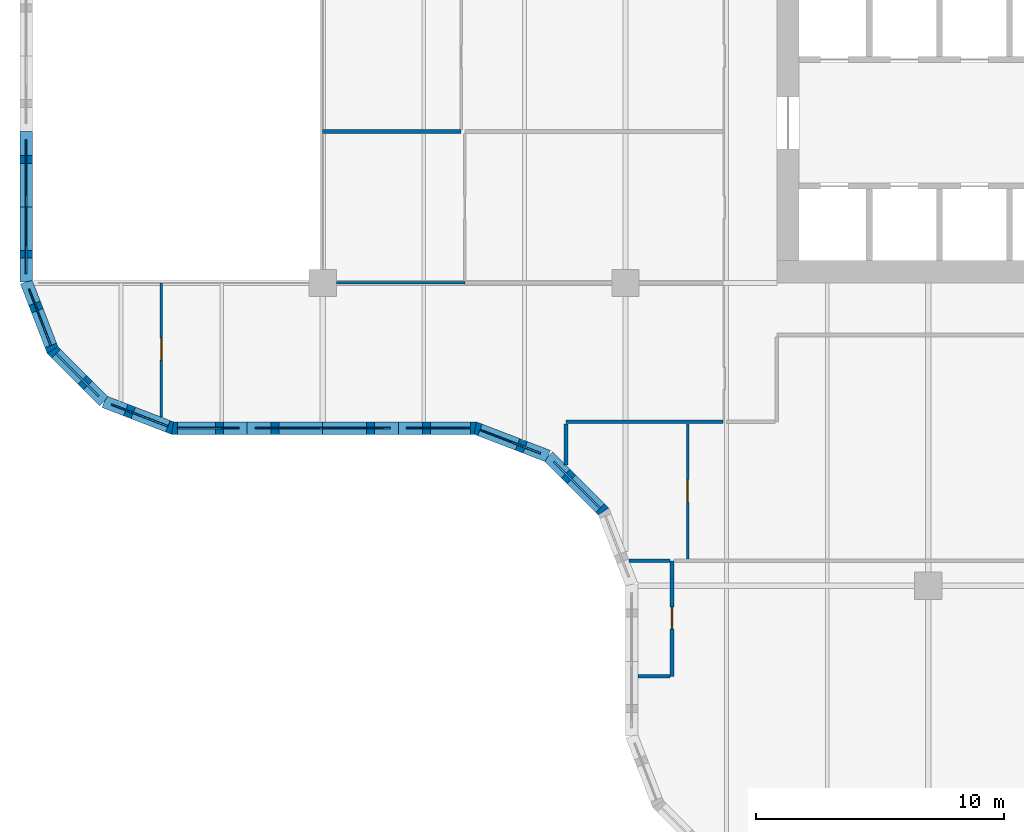
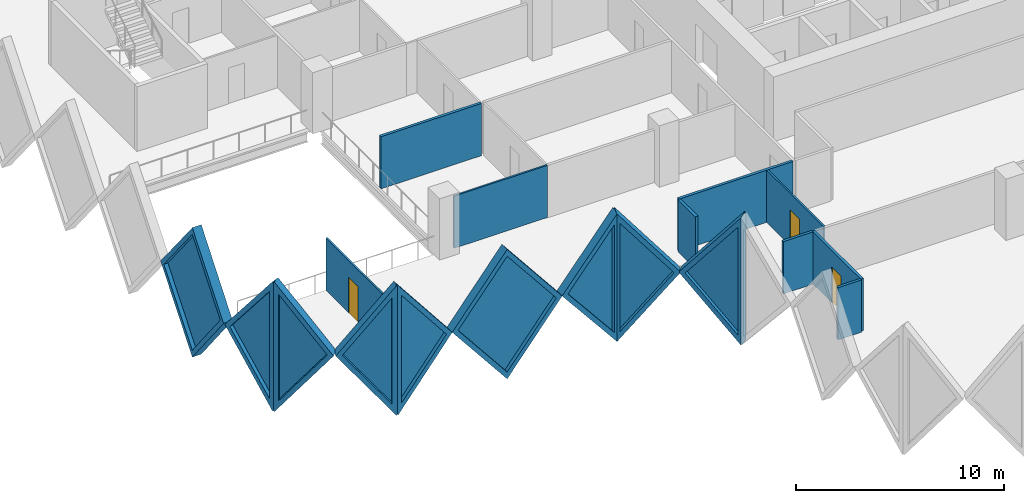
# One storey, part 4 of 18: 18 walls, 9 plates, 3 doors, 12 openings.
"""IFC4 building model written with IfcOpenShell, lengths in metres."""

from ifc_helpers import new_model, si_unit, direction, frame, frame_2d, origin, place, context, subcontext, project, spatial, polyline, rectangle, outline, extrude, faceted_brep, source, transform, mapped, material, layer, layer_set, type_object, element, fill, save


model = new_model("IFC4")

# Units and contexts
model_context = context("Model", 3, precision=1e-05, world=origin(), true_north=direction((0.0, 1.0)))
body_context = subcontext(model_context, "Body", "Model", "MODEL_VIEW")
ifc_project = project(units=[si_unit("LENGTHUNIT", "METRE"), si_unit("AREAUNIT", "SQUARE_METRE"), si_unit("VOLUMEUNIT", "CUBIC_METRE"), si_unit("PLANEANGLEUNIT", "RADIAN"), si_unit("MASSUNIT", "GRAM", prefix="KILO")], contexts=[model_context])

# Site, building, storey
site_placement = place(None, origin())
site = spatial("IfcSite", under=ifc_project, at=site_placement, CompositionType="ELEMENT")
building_placement = place(site_placement, origin())
building = spatial("IfcBuilding", under=site, at=building_placement, Name="Tessera Gate Towers", CompositionType="ELEMENT")
storey_placement = place(building_placement, frame((0.0, 0.0, 41.0)))
storey = spatial("IfcBuildingStorey", under=building, at=storey_placement, Name="L09", CompositionType="ELEMENT", Elevation=41.0)

# Wall, opening, door
ifc_material_1 = material(Name="Glass", Category="glass")
ifc_layer_1 = layer(ifc_material_1, 0.10009765625)
ifc_layer_set_1 = layer_set([ifc_layer_1], Name="GLAZED PARTITION 100")
wall_type_1 = type_object("IfcWallType", Name="GLAZED PARTITION 100", PredefinedType="PARTITIONING", material=ifc_layer_set_1)
wall_1_placement = place(storey_placement, frame((5.699951171875, 18.990234375, 0.0), z_axis=(0.0, 0.0, 1.0), x_axis=(0.0, 1.0, 0.0)))
wall_1 = element("IfcWall", 1, at=wall_1_placement, inside=storey, type_object=wall_type_1, Name="T1-L09-PW-021", PredefinedType="PARTITIONING", context=body_context, shape_type="SweptSolid", body=[
    extrude(rectangle(XDim=5.40966796875, YDim=0.10009765625, at=frame_2d((2.704833984375, 0.0))), origin(), (0.0, 0.0, 1.0), 3.06689453125),
])
shared_shape_1 = source(origin(), body_context, "Body", "SweptSolid", [
    extrude(rectangle(XDim=0.89990234375, YDim=2.10009765625, at=frame_2d((0.449951171875, 1.050048828125))), frame((0.0, 0.06005859375, 0.0), z_axis=(0.0, -1.0, 0.0), x_axis=(1.0, 0.0, 0.0)), (0.0, 0.0, 1.0), 0.1201171875),
])
opening_1_placement = place(wall_1_placement, frame((2.300048828125, 0.0, 0.0)))
opening_1 = element("IfcOpeningElement", 2, at=opening_1_placement, cuts=wall_1, Name="Opening D690-A03-01", PredefinedType="OPENING", context=body_context, shape_type="MappedRepresentation", body=[
    mapped(shared_shape_1, transform((0.0, 0.0, 0.0), scale=1.0)),
])
ifc_material_2 = material(Name="Glass in aluminium frame", Category="aluminium")
door_type_1 = type_object("IfcDoorType", Name="GLAZED DOOR 900 NOT RATED", OperationType="NOTDEFINED", PredefinedType="DOOR", material=ifc_material_2)
shared_shape_2 = source(origin(), body_context, "Body", "SweptSolid", [
    extrude(rectangle(XDim=0.89990234375, YDim=2.10009765625, at=frame_2d((0.449951171875, 1.050048828125))), frame((0.0, 0.02490234375, 0.0), z_axis=(0.0, -1.0, 0.0), x_axis=(1.0, 0.0, 0.0)), (0.0, 0.0, 1.0), 0.050048828125),
])
door_1_placement = place(opening_1_placement, origin())
door_1 = element("IfcDoor", 3, at=door_1_placement, inside=storey, type_object=door_type_1, Name="T1-L09-PD-008", OperationType="SINGLE_SWING_LEFT", OverallHeight=2.10009765625, OverallWidth=0.89990234375, PredefinedType="DOOR", context=body_context, shape_type="MappedRepresentation", body=[
    mapped(shared_shape_2, transform((0.0, 0.0, 0.0), scale=1.0)),
])
fill(opening_1, door_1)

# Wall
wall_2_placement = place(storey_placement, frame((12.7509765625, 24.39990234375, 0.0), z_axis=(0.0, 0.0, 1.0), x_axis=(1.0, 0.0, 0.0)))
element("IfcWall", 4, at=wall_2_placement, inside=storey, type_object=wall_type_1, Name="T1-L09-PW-026", PredefinedType="PARTITIONING", context=body_context, shape_type="SweptSolid", body=[
    extrude(rectangle(XDim=5.173095703125, YDim=0.10009765625, at=frame_2d((2.58642578125, 0.0))), origin(), (0.0, 0.0, 1.0), 3.06689453125),
])

# Wall, opening, door
ifc_material_3 = material(Name="Gypsum board on steel studs", Category="steel")
ifc_layer_2 = layer(ifc_material_3, 0.10009765625)
ifc_layer_set_2 = layer_set([ifc_layer_2], Name="PARTITION 100")
wall_type_2 = type_object("IfcWallType", Name="PARTITION 100", PredefinedType="PARTITIONING", material=ifc_layer_set_2)
wall_3_placement = place(storey_placement, frame((26.89990234375, 13.27587890625, 0.0), z_axis=(0.0, 0.0, 1.0), x_axis=(0.0, 1.0, 0.0)))
wall_3 = element("IfcWall", 5, at=wall_3_placement, inside=storey, type_object=wall_type_2, Name="T1-L09-PW-011", PredefinedType="PARTITIONING", context=body_context, shape_type="SweptSolid", body=[
    extrude(rectangle(XDim=5.4482421875, YDim=0.10009765625, at=frame_2d((2.72412109375, 0.0))), origin(), (0.0, 0.0, 1.0), 3.06689453125),
])
opening_2_placement = place(wall_3_placement, frame((2.300048828125, 0.0, 0.0)))
opening_2 = element("IfcOpeningElement", 6, at=opening_2_placement, cuts=wall_3, Name="Opening D190-A03-06", PredefinedType="OPENING", context=body_context, shape_type="MappedRepresentation", body=[
    mapped(shared_shape_1, transform((0.0, 0.0, 0.0), scale=1.0)),
])
ifc_material_4 = material(Name="Timber door leaf in steel frame", Category="steel")
door_type_2 = type_object("IfcDoorType", Name="INTERNAL DOOR 900 NOT RATED", OperationType="NOTDEFINED", PredefinedType="DOOR", material=ifc_material_4)
door_2_placement = place(opening_2_placement, origin())
door_2 = element("IfcDoor", 7, at=door_2_placement, inside=storey, type_object=door_type_2, Name="T1-L09-PD-009", OperationType="SINGLE_SWING_LEFT", OverallHeight=2.10009765625, OverallWidth=0.89990234375, PredefinedType="DOOR", context=body_context, shape_type="MappedRepresentation", body=[
    mapped(shared_shape_2, transform((0.0, 0.0, 0.0), scale=1.0)),
])
fill(opening_2, door_2)

# Wall
ifc_material_5 = material(Name="Gypsum board on steel studs, mineral wool", Category="steel")
ifc_layer_3 = layer(ifc_material_5, 0.14990234375)
ifc_layer_set_3 = layer_set([ifc_layer_3], Name="TENANCY WALL 150")
wall_type_3 = type_object("IfcWallType", Name="TENANCY WALL 150", PredefinedType="PARTITIONING", material=ifc_layer_set_3)
wall_4_placement = place(storey_placement, frame((24.89990234375, 8.548095703125, 0.0), z_axis=(0.0, 0.0, 1.0), x_axis=(1.0, 0.0, 0.0)))
element("IfcWall", 8, at=wall_4_placement, inside=storey, type_object=wall_type_3, Name="T1-L09-PW-006", PredefinedType="PARTITIONING", context=body_context, shape_type="SweptSolid", body=[
    extrude(rectangle(XDim=1.299072265625, YDim=0.14990234375, at=frame_2d((0.6494140625, 0.0))), origin(), (0.0, 0.0, 1.0), 3.06689453125),
])

# Wall, opening, door
wall_5_placement = place(storey_placement, frame((26.27490234375, 8.5478515625, 0.0), z_axis=(0.0, 0.0, 1.0), x_axis=(0.0, 1.0, 0.0)))
wall_5 = element("IfcWall", 9, at=wall_5_placement, inside=storey, type_object=wall_type_3, Name="T1-L09-PW-007", PredefinedType="PARTITIONING", context=body_context, shape_type="SweptSolid", body=[
    extrude(rectangle(XDim=4.652099609375, YDim=0.14990234375, at=frame_2d((2.326171875, 0.0))), origin(), (0.0, 0.0, 1.0), 3.06689453125),
])
shared_shape_3 = source(origin(), body_context, "Body", "SweptSolid", [
    extrude(rectangle(XDim=0.89990234375, YDim=2.10009765625, at=frame_2d((0.449951171875, 1.050048828125))), frame((0.0, 0.0849609375, 0.0), z_axis=(0.0, -1.0, 0.0), x_axis=(1.0, 0.0, 0.0)), (0.0, 0.0, 1.0), 0.169921875),
])
opening_3_placement = place(wall_5_placement, frame((1.89990234375, 0.0, 0.0)))
opening_3 = element("IfcOpeningElement", 10, at=opening_3_placement, cuts=wall_5, Name="Opening D190-A03-09", PredefinedType="OPENING", context=body_context, shape_type="MappedRepresentation", body=[
    mapped(shared_shape_3, transform((0.0, 0.0, 0.0), scale=1.0)),
])
door_3_placement = place(opening_3_placement, origin())
door_3 = element("IfcDoor", 11, at=door_3_placement, inside=storey, type_object=door_type_2, Name="T1-L09-PD-015", OperationType="SINGLE_SWING_LEFT", OverallHeight=2.10009765625, OverallWidth=0.89990234375, PredefinedType="DOOR", context=body_context, shape_type="MappedRepresentation", body=[
    mapped(shared_shape_2, transform((0.0, 0.0, 0.0), scale=1.0)),
])
fill(opening_3, door_3)

# Walls
wall_6_placement = place(storey_placement, frame((24.55029296875, 13.199951171875, 0.0), z_axis=(0.0, 0.0, 1.0), x_axis=(1.0, 0.0, 0.0)))
element("IfcWall", 12, at=wall_6_placement, inside=storey, type_object=wall_type_3, Name="T1-L09-PW-009", PredefinedType="PARTITIONING", context=body_context, shape_type="SweptSolid", body=[
    extrude(rectangle(XDim=1.648681640625, YDim=0.14990234375, at=frame_2d((0.82421875, 0.0))), origin(), (0.0, 0.0, 1.0), 3.06689453125),
])
wall_7_placement = place(storey_placement, frame((22.0, 17.054931640625, 0.0), z_axis=(0.0, 0.0, 1.0), x_axis=(0.0, 1.0, 0.0)))
element("IfcWall", 13, at=wall_7_placement, inside=storey, type_object=wall_type_3, Name="T1-L09-PW-015", PredefinedType="PARTITIONING", context=body_context, shape_type="SweptSolid", body=[
    extrude(rectangle(XDim=1.669189453125, YDim=0.14990234375, at=frame_2d((0.83447265625, 0.0))), origin(), (0.0, 0.0, 1.0), 3.06689453125),
])
wall_8_placement = place(storey_placement, frame((22.0, 18.800048828125, 0.0), z_axis=(0.0, 0.0, 1.0), x_axis=(1.0, 0.0, 0.0)))
element("IfcWall", 14, at=wall_8_placement, inside=storey, type_object=wall_type_3, Name="T1-L09-PW-016", PredefinedType="PARTITIONING", context=body_context, shape_type="SweptSolid", body=[
    extrude(rectangle(XDim=6.323974609375, YDim=0.14990234375, at=frame_2d((3.162109375, 0.0))), origin(), (0.0, 0.0, 1.0), 3.06689453125),
])
wall_9_placement = place(storey_placement, frame((12.199951171875, 30.5, 0.0), z_axis=(0.0, 0.0, 1.0), x_axis=(1.0, 0.0, 0.0)))
element("IfcWall", 15, at=wall_9_placement, inside=storey, type_object=wall_type_3, Name="T1-L09-PW-030", PredefinedType="PARTITIONING", context=body_context, shape_type="SweptSolid", body=[
    extrude(rectangle(XDim=5.574951171875, YDim=0.14990234375, at=frame_2d((2.78759765625, 0.0))), origin(), (0.0, 0.0, 1.0), 3.06689453125),
])

# Wall, opening, plate
ifc_material_6 = material(Name="Precast concrete C60/75 white", Category="concrete")
ifc_layer_4 = layer(ifc_material_6, 0.5)
ifc_layer_set_4 = layer_set([ifc_layer_4], Name="TS1 tessera")
wall_type_4 = type_object("IfcWallType", Name="TS1 tessera", PredefinedType="SOLIDWALL", material=ifc_layer_set_4)
shared_shape_4 = source(origin(), body_context, "Body", "SweptSolid", [
    extrude(outline(polyline([(3.050048828125, 0.0), (6.10009765625, 3.800048828125), (3.050048828125, 7.60009765625), (0.0, 3.800048828125), (3.050048828125, 0.0)])), frame((0.0, 0.25, 0.0), z_axis=(0.0, -1.0, 0.0), x_axis=(1.0, 0.0, 0.0)), (0.0, 0.0, 1.0), 0.5),
])
wall_10_placement = place(storey_placement, frame((9.14990234375, 18.550048828125, -3.800048828125), z_axis=(0.0, 0.0, 1.0), x_axis=(1.0, 0.0, 0.0)))
wall_10 = element("IfcWall", 16, at=wall_10_placement, inside=storey, type_object=wall_type_4, Name="Precast tessera T1 TS1-0113", PredefinedType="SOLIDWALL", context=body_context, shape_type="MappedRepresentation", body=[
    mapped(shared_shape_4, transform((0.0, 0.0, 0.0), scale=1.0)),
])
shared_shape_5 = source(origin(), body_context, "Body", "SweptSolid", [
    extrude(outline(polyline([(3.050048828125, 0.3994140625), (5.779541015625, 3.800048828125), (3.050048828125, 7.20068359375), (0.320556640625, 3.800048828125), (3.050048828125, 0.3994140625)])), frame((0.0, 0.260009765625, 0.0), z_axis=(0.0, -1.0, 0.0), x_axis=(1.0, 0.0, 0.0)), (0.0, 0.0, 1.0), 0.52001953125),
])
opening_4_placement = place(wall_10_placement, origin())
opening_4 = element("IfcOpeningElement", 17, at=opening_4_placement, cuts=wall_10, Name="Opening T1-PL2-0227", PredefinedType="OPENING", context=body_context, shape_type="MappedRepresentation", body=[
    mapped(shared_shape_5, transform((0.0, 0.0, 0.0), scale=1.0)),
])
ifc_material_7 = material(Name="Low-e laminated glass", Category="glass")
ifc_layer_5 = layer(ifc_material_7, 0.06005859375)
ifc_layer_set_5 = layer_set([ifc_layer_5], Name="PL2 rhombic pane")
plate_type = type_object("IfcPlateType", Name="PL2 rhombic pane", PredefinedType="SHEET", material=ifc_layer_set_5)
shared_shape_6 = source(origin(), body_context, "Body", "SweptSolid", [
    extrude(outline(polyline([(3.050048828125, 0.3994140625), (5.779541015625, 3.800048828125), (3.050048828125, 7.20068359375), (0.320556640625, 3.800048828125), (3.050048828125, 0.3994140625)])), frame((0.0, 0.030029296875, 0.0), z_axis=(0.0, -1.0, 0.0), x_axis=(1.0, 0.0, 0.0)), (0.0, 0.0, 1.0), 0.06005859375),
])
plate_1_placement = place(opening_4_placement, origin())
plate_1 = element("IfcPlate", 18, at=plate_1_placement, inside=storey, type_object=plate_type, Name="Glass pane T1 PL2-0227", PredefinedType="SHEET", context=body_context, shape_type="MappedRepresentation", body=[
    mapped(shared_shape_6, transform((0.0, 0.0, 0.0), scale=1.0)),
])
fill(opening_4, plate_1)

shared_shape_7 = source(origin(), body_context, "Body", "Brep", [
    faceted_brep([(3.050048828125, -0.25, 0.0), (6.053466796875, -0.25, 3.800048828125), (3.050048828125, -0.25, 7.60009765625), (0.0, -0.25, 3.800048828125), (0.0, 0.25, 3.800048828125), (3.050048828125, 0.25, 7.60009765625), (6.0068359375, 0.25, 3.85888671875), (6.0068359375, 0.25, 3.7412109375), (3.050048828125, 0.25, 0.0), (6.053466796875, 0.0, 3.800048828125)], [[[0, 1, 2, 3]], [[4, 5, 6, 7, 8]], [[8, 7, 9, 1, 0]], [[6, 5, 2, 1, 9]], [[5, 4, 3, 2]], [[4, 8, 0, 3]], [[9, 7, 6]]]),
])
wall_11_placement = place(storey_placement, frame((0.25, 30.5, -3.800048828125), z_axis=(0.0, 0.0, 1.0), x_axis=(0.0, -1.0, 0.0)))
wall_11 = element("IfcWall", 19, at=wall_11_placement, inside=storey, type_object=wall_type_4, Name="Precast tessera T1 TS1-0112", PredefinedType="SOLIDWALL", context=body_context, shape_type="MappedRepresentation", body=[
    mapped(shared_shape_7, transform((0.0, 0.0, 0.0), scale=1.0)),
])
shared_shape_8 = source(origin(), body_context, "Body", "SweptSolid", [
    extrude(outline(polyline([(3.048583984375, 0.4013671875), (5.73486328125, 3.800048828125), (3.048583984375, 7.19873046875), (0.320556640625, 3.800048828125), (3.048583984375, 0.4013671875)])), frame((0.0, 0.260009765625, 0.0), z_axis=(0.0, -1.0, 0.0), x_axis=(1.0, 0.0, 0.0)), (0.0, 0.0, 1.0), 0.52001953125),
])
opening_5_placement = place(wall_11_placement, origin())
opening_5 = element("IfcOpeningElement", 20, at=opening_5_placement, cuts=wall_11, Name="Opening T1-PL2-0222", PredefinedType="OPENING", context=body_context, shape_type="MappedRepresentation", body=[
    mapped(shared_shape_8, transform((0.0, 0.0, 0.0), scale=1.0)),
])
shared_shape_9 = source(origin(), body_context, "Body", "SweptSolid", [
    extrude(outline(polyline([(3.048583984375, 0.4013671875), (5.73486328125, 3.800048828125), (3.048583984375, 7.19873046875), (0.320556640625, 3.800048828125), (3.048583984375, 0.4013671875)])), frame((0.0, 0.030029296875, 0.0), z_axis=(0.0, -1.0, 0.0), x_axis=(1.0, 0.0, 0.0)), (0.0, 0.0, 1.0), 0.06005859375),
])
plate_2_placement = place(opening_5_placement, origin())
plate_2 = element("IfcPlate", 21, at=plate_2_placement, inside=storey, type_object=plate_type, Name="Glass pane T1 PL2-0222", PredefinedType="SHEET", context=body_context, shape_type="MappedRepresentation", body=[
    mapped(shared_shape_9, transform((0.0, 0.0, 0.0), scale=1.0)),
])
fill(opening_5, plate_2)

ifc_material_8 = material(Name="Precast concrete C60/75 white", Category="concrete")
ifc_layer_6 = layer(ifc_material_8, 0.5)
ifc_layer_set_6 = layer_set([ifc_layer_6], Name="TS3 corner tessera")
wall_type_5 = type_object("IfcWallType", Name="TS3 corner tessera", PredefinedType="SOLIDWALL", material=ifc_layer_set_6)
shared_shape_10 = source(origin(), body_context, "Body", "Brep", [
    faceted_brep([(0.052978515625, -0.25, 0.0), (2.9970703125, -0.25, 3.800048828125), (0.052978515625, -0.25, 7.60009765625), (0.0, -0.25, 7.531982421875), (0.0, -0.25, 0.068115234375), (0.10595703125, 0.25, 7.53173828125), (2.944091796875, 0.25, 3.8681640625), (2.944091796875, 0.25, 3.73193359375), (0.10595703125, 0.25, 0.068359375), (2.9970703125, 0.000244140625, 3.800048828125), (0.052978515625, 0.0, 0.0), (0.052978515625, 0.0, 7.60009765625)], [[[0, 1, 2, 3, 4]], [[5, 6, 7, 8]], [[8, 7, 9, 1, 0, 10]], [[6, 5, 11, 2, 1, 9]], [[3, 2, 11]], [[10, 0, 4]], [[8, 10, 4, 3, 11, 5]], [[9, 7, 6]]]),
])
wall_12_placement = place(storey_placement, frame((1.2744140625, 21.731201171875, -3.800048828125), z_axis=(0.0, 0.0, 1.0), x_axis=(0.707147509625, -0.707066050402, 0.0)))
wall_12 = element("IfcWall", 22, at=wall_12_placement, inside=storey, type_object=wall_type_5, Name="Precast corner tessera T1 TS3-0184", PredefinedType="SOLIDWALL", context=body_context, shape_type="MappedRepresentation", body=[
    mapped(shared_shape_10, transform((0.0, 0.0, 0.0), scale=1.0)),
])
shared_shape_11 = source(origin(), body_context, "Body", "SweptSolid", [
    extrude(outline(polyline([(0.2529296875, 0.666259765625), (2.680908203125, 3.800048828125), (0.2529296875, 6.933837890625), (0.2529296875, 0.666259765625)])), frame((0.0, 0.260009765625, 0.0), z_axis=(0.0, -1.0, 0.0), x_axis=(1.0, 0.0, 0.0)), (0.0, 0.0, 1.0), 0.52001953125),
])
opening_6_placement = place(wall_12_placement, origin())
opening_6 = element("IfcOpeningElement", 23, at=opening_6_placement, cuts=wall_12, Name="Opening T1-PL2-0224", PredefinedType="OPENING", context=body_context, shape_type="MappedRepresentation", body=[
    mapped(shared_shape_11, transform((0.0, 0.0, 0.0), scale=1.0)),
])
shared_shape_12 = source(origin(), body_context, "Body", "SweptSolid", [
    extrude(outline(polyline([(0.2529296875, 0.666259765625), (2.680908203125, 3.800048828125), (0.2529296875, 6.933837890625), (0.2529296875, 0.666259765625)])), frame((0.0, 0.030029296875, 0.0), z_axis=(0.0, -1.0, 0.0), x_axis=(1.0, 0.0, 0.0)), (0.0, 0.0, 1.0), 0.06005859375),
])
plate_3_placement = place(opening_6_placement, origin())
plate_3 = element("IfcPlate", 24, at=plate_3_placement, inside=storey, type_object=plate_type, Name="Glass pane T1 PL2-0224", PredefinedType="SHEET", context=body_context, shape_type="MappedRepresentation", body=[
    mapped(shared_shape_12, transform((0.0, 0.0, 0.0), scale=1.0)),
])
fill(opening_6, plate_3)

shared_shape_13 = source(origin(), body_context, "Body", "Brep", [
    faceted_brep([(2.950439453125, -0.25, 0.0), (2.9970703125, -0.25, 0.05908203125), (2.9970703125, -0.25, 7.541015625), (2.950439453125, -0.25, 7.60009765625), (0.0, -0.25, 3.800048828125), (0.052978515625, 0.25, 3.8681640625), (2.904052734375, 0.25, 7.540283203125), (2.904052734375, 0.25, 0.059814453125), (0.052978515625, 0.25, 3.73193359375), (2.950439453125, 0.00048828125, 0.0), (2.950439453125, 0.00048828125, 7.60009765625), (0.0, 0.0, 3.800048828125)], [[[0, 1, 2, 3, 4]], [[5, 6, 7, 8]], [[1, 0, 9]], [[10, 3, 2]], [[6, 5, 11, 4, 3, 10]], [[8, 7, 9, 0, 4, 11]], [[8, 11, 5]], [[1, 9, 7, 6, 10, 2]]]),
])
wall_13_placement = place(storey_placement, frame((3.393798828125, 19.61181640625, -3.800048828125), z_axis=(0.0, 0.0, 1.0), x_axis=(0.932990326376, -0.359901446078, 0.0)))
wall_13 = element("IfcWall", 25, at=wall_13_placement, inside=storey, type_object=wall_type_5, Name="Precast corner tessera T1 TS3-0185", PredefinedType="SOLIDWALL", context=body_context, shape_type="MappedRepresentation", body=[
    mapped(shared_shape_13, transform((0.0, 0.0, 0.0), scale=1.0)),
])
shared_shape_14 = source(origin(), body_context, "Body", "SweptSolid", [
    extrude(outline(polyline([(2.75048828125, 6.934814453125), (0.31640625, 3.800048828125), (2.75048828125, 0.665283203125), (2.75048828125, 6.934814453125)])), frame((0.0, 0.260009765625, 0.0), z_axis=(0.0, -1.0, 0.0), x_axis=(1.0, 0.0, 0.0)), (0.0, 0.0, 1.0), 0.52001953125),
])
opening_7_placement = place(wall_13_placement, origin())
opening_7 = element("IfcOpeningElement", 26, at=opening_7_placement, cuts=wall_13, Name="Opening T1-PL2-0225", PredefinedType="OPENING", context=body_context, shape_type="MappedRepresentation", body=[
    mapped(shared_shape_14, transform((0.0, 0.0, 0.0), scale=1.0)),
])
shared_shape_15 = source(origin(), body_context, "Body", "SweptSolid", [
    extrude(outline(polyline([(2.75048828125, 6.934814453125), (0.31640625, 3.800048828125), (2.75048828125, 0.665283203125), (2.75048828125, 6.934814453125)])), frame((0.0, 0.030029296875, 0.0), z_axis=(0.0, -1.0, 0.0), x_axis=(1.0, 0.0, 0.0)), (0.0, 0.0, 1.0), 0.06005859375),
])
plate_4_placement = place(opening_7_placement, origin())
plate_4 = element("IfcPlate", 27, at=plate_4_placement, inside=storey, type_object=plate_type, Name="Glass pane T1 PL2-0225", PredefinedType="SHEET", context=body_context, shape_type="MappedRepresentation", body=[
    mapped(shared_shape_15, transform((0.0, 0.0, 0.0), scale=1.0)),
])
fill(opening_7, plate_4)

shared_shape_16 = source(origin(), body_context, "Body", "Brep", [
    faceted_brep([(0.046630859375, -0.25, 0.0), (3.050048828125, -0.25, 3.800048828125), (0.046630859375, -0.25, 7.60009765625), (0.0, -0.25, 7.5400390625), (0.0, -0.25, 0.06005859375), (0.09326171875, 0.25, 7.541259765625), (3.050048828125, 0.25, 3.800048828125), (0.09326171875, 0.25, 0.058837890625), (0.046630859375, 0.0, 0.0), (0.046630859375, 0.0, 7.60009765625)], [[[0, 1, 2, 3, 4]], [[5, 6, 7]], [[7, 6, 1, 0, 8]], [[6, 5, 9, 2, 1]], [[3, 2, 9]], [[8, 0, 4]], [[7, 8, 4, 3, 9, 5]]]),
])
wall_14_placement = place(storey_placement, frame((6.099853515625, 18.550048828125, -3.800048828125), z_axis=(0.0, 0.0, 1.0), x_axis=(1.0, 0.0, 0.0)))
wall_14 = element("IfcWall", 28, at=wall_14_placement, inside=storey, type_object=wall_type_5, Name="Precast corner tessera T1 TS3-0186", PredefinedType="SOLIDWALL", context=body_context, shape_type="MappedRepresentation", body=[
    mapped(shared_shape_16, transform((0.0, 0.0, 0.0), scale=1.0)),
])
shared_shape_17 = source(origin(), body_context, "Body", "SweptSolid", [
    extrude(outline(polyline([(0.24658203125, 0.65625), (2.7314453125, 3.800048828125), (0.24658203125, 6.94384765625), (0.24658203125, 0.65625)])), frame((0.0, 0.260009765625, 0.0), z_axis=(0.0, -1.0, 0.0), x_axis=(1.0, 0.0, 0.0)), (0.0, 0.0, 1.0), 0.52001953125),
])
opening_8_placement = place(wall_14_placement, origin())
opening_8 = element("IfcOpeningElement", 29, at=opening_8_placement, cuts=wall_14, Name="Opening T1-PL2-0226", PredefinedType="OPENING", context=body_context, shape_type="MappedRepresentation", body=[
    mapped(shared_shape_17, transform((0.0, 0.0, 0.0), scale=1.0)),
])
shared_shape_18 = source(origin(), body_context, "Body", "SweptSolid", [
    extrude(outline(polyline([(0.24658203125, 0.65625), (2.7314453125, 3.800048828125), (0.24658203125, 6.94384765625), (0.24658203125, 0.65625)])), frame((0.0, 0.030029296875, 0.0), z_axis=(0.0, -1.0, 0.0), x_axis=(1.0, 0.0, 0.0)), (0.0, 0.0, 1.0), 0.06005859375),
])
plate_5_placement = place(opening_8_placement, origin())
plate_5 = element("IfcPlate", 30, at=plate_5_placement, inside=storey, type_object=plate_type, Name="Glass pane T1 PL2-0226", PredefinedType="SHEET", context=body_context, shape_type="MappedRepresentation", body=[
    mapped(shared_shape_18, transform((0.0, 0.0, 0.0), scale=1.0)),
])
fill(opening_8, plate_5)

shared_shape_19 = source(origin(), body_context, "Body", "Brep", [
    faceted_brep([(2.950439453125, -0.25, 0.0), (3.00341796875, -0.25, 0.068359375), (3.00341796875, -0.25, 7.53173828125), (2.950439453125, -0.25, 7.60009765625), (0.0, -0.25, 3.800048828125), (0.046630859375, 0.25, 3.860107421875), (2.897705078125, 0.25, 7.531982421875), (2.897705078125, 0.25, 0.068115234375), (0.046630859375, 0.25, 3.739990234375), (2.950439453125, 0.00048828125, 0.0), (2.950439453125, 0.00048828125, 7.60009765625), (0.0, 0.0, 3.800048828125)], [[[0, 1, 2, 3, 4]], [[5, 6, 7, 8]], [[1, 0, 9]], [[10, 3, 2]], [[6, 5, 11, 4, 3, 10]], [[8, 7, 9, 0, 4, 11]], [[8, 11, 5]], [[1, 9, 7, 6, 10, 2]]]),
])
wall_15_placement = place(storey_placement, frame((0.25, 24.446533203125, -3.800048828125), z_axis=(0.0, 0.0, 1.0), x_axis=(0.35992665181, -0.932980602862, 0.0)))
wall_15 = element("IfcWall", 31, at=wall_15_placement, inside=storey, type_object=wall_type_5, Name="Precast corner tessera T1 TS3-0183", PredefinedType="SOLIDWALL", context=body_context, shape_type="MappedRepresentation", body=[
    mapped(shared_shape_19, transform((0.0, 0.0, 0.0), scale=1.0)),
])
opening_9_placement = place(wall_15_placement, origin())
opening_9 = element("IfcOpeningElement", 32, at=opening_9_placement, cuts=wall_15, Name="Opening T1-PL2-0223", PredefinedType="OPENING", context=body_context, shape_type="MappedRepresentation", body=[
    mapped(shared_shape_14, transform((0.0, 0.0, 0.0), scale=1.0)),
])
plate_6_placement = place(opening_9_placement, origin())
plate_6 = element("IfcPlate", 33, at=plate_6_placement, inside=storey, type_object=plate_type, Name="Glass pane T1 PL2-0223", PredefinedType="SHEET", context=body_context, shape_type="MappedRepresentation", body=[
    mapped(shared_shape_15, transform((0.0, 0.0, 0.0), scale=1.0)),
])
fill(opening_9, plate_6)

shared_shape_20 = source(origin(), body_context, "Body", "Brep", [
    faceted_brep([(3.050048828125, -0.25, 7.543212890625), (0.0, -0.25, 3.800048828125), (3.050048828125, -0.25, 0.056884765625), (0.0, 0.25, 3.800048828125), (3.096435546875, 0.25, 7.60009765625), (3.14306640625, 0.25, 7.543701171875), (3.14306640625, 0.25, 0.056396484375), (3.096435546875, 0.25, 0.0), (3.096435546875, -0.00048828125, 0.0), (3.096435546875, -0.00048828125, 7.60009765625)], [[[0, 1, 2]], [[3, 4, 5, 6, 7]], [[7, 6, 8]], [[5, 4, 9]], [[4, 3, 1, 0, 9]], [[3, 7, 8, 2, 1]], [[2, 8, 6, 5, 9, 0]]]),
])
wall_16_placement = place(storey_placement, frame((15.25, 18.550048828125, -3.800048828125), z_axis=(0.0, 0.0, 1.0), x_axis=(1.0, 0.0, 0.0)))
wall_16 = element("IfcWall", 34, at=wall_16_placement, inside=storey, type_object=wall_type_5, Name="Precast corner tessera T1 TS3-0187", PredefinedType="SOLIDWALL", context=body_context, shape_type="MappedRepresentation", body=[
    mapped(shared_shape_20, transform((0.0, 0.0, 0.0), scale=1.0)),
])
shared_shape_21 = source(origin(), body_context, "Body", "SweptSolid", [
    extrude(outline(polyline([(2.896484375, 6.958740234375), (0.322509765625, 3.800048828125), (2.896484375, 0.641357421875), (2.896484375, 6.958740234375)])), frame((0.0, 0.260009765625, 0.0), z_axis=(0.0, -1.0, 0.0), x_axis=(1.0, 0.0, 0.0)), (0.0, 0.0, 1.0), 0.52001953125),
])
opening_10_placement = place(wall_16_placement, origin())
opening_10 = element("IfcOpeningElement", 35, at=opening_10_placement, cuts=wall_16, Name="Opening T1-PL2-0228", PredefinedType="OPENING", context=body_context, shape_type="MappedRepresentation", body=[
    mapped(shared_shape_21, transform((0.0, 0.0, 0.0), scale=1.0)),
])
shared_shape_22 = source(origin(), body_context, "Body", "SweptSolid", [
    extrude(outline(polyline([(2.896484375, 6.958740234375), (0.322509765625, 3.800048828125), (2.896484375, 0.641357421875), (2.896484375, 6.958740234375)])), frame((0.0, 0.030029296875, 0.0), z_axis=(0.0, -1.0, 0.0), x_axis=(1.0, 0.0, 0.0)), (0.0, 0.0, 1.0), 0.06005859375),
])
plate_7_placement = place(opening_10_placement, origin())
plate_7 = element("IfcPlate", 36, at=plate_7_placement, inside=storey, type_object=plate_type, Name="Glass pane T1 PL2-0228", PredefinedType="SHEET", context=body_context, shape_type="MappedRepresentation", body=[
    mapped(shared_shape_22, transform((0.0, 0.0, 0.0), scale=1.0)),
])
fill(opening_10, plate_7)

shared_shape_23 = source(origin(), body_context, "Body", "Brep", [
    faceted_brep([(0.09326171875, -0.25, 0.05615234375), (3.14306640625, -0.25, 3.736328125), (3.14306640625, -0.25, 3.86376953125), (0.09326171875, -0.25, 7.5439453125), (0.0, 0.25, 7.54296875), (0.046630859375, 0.25, 7.60009765625), (3.196044921875, 0.25, 3.800048828125), (0.046630859375, 0.25, 0.0), (0.0, 0.25, 0.05712890625), (3.196044921875, -0.000244140625, 3.800048828125), (0.046630859375, 0.0, 0.0), (0.046630859375, 0.0, 7.60009765625)], [[[0, 1, 2, 3]], [[4, 5, 6, 7, 8]], [[7, 6, 9, 1, 0, 10]], [[6, 5, 11, 3, 2, 9]], [[5, 4, 11]], [[8, 7, 10]], [[8, 10, 0, 3, 11, 4]], [[1, 9, 2]]]),
])
wall_17_placement = place(storey_placement, frame((18.302978515625, 18.56689453125, -3.800048828125), z_axis=(0.0, 0.0, 1.0), x_axis=(0.932978940178, -0.359930961693, 0.0)))
wall_17 = element("IfcWall", 37, at=wall_17_placement, inside=storey, type_object=wall_type_5, Name="Precast corner tessera T1 TS3-0188", PredefinedType="SOLIDWALL", context=body_context, shape_type="MappedRepresentation", body=[
    mapped(shared_shape_23, transform((0.0, 0.0, 0.0), scale=1.0)),
])
shared_shape_24 = source(origin(), body_context, "Body", "SweptSolid", [
    extrude(outline(polyline([(0.24658203125, 0.633056640625), (2.871337890625, 3.800048828125), (0.24658203125, 6.967041015625), (0.24658203125, 0.633056640625)])), frame((0.0, 0.260009765625, 0.0), z_axis=(0.0, -1.0, 0.0), x_axis=(1.0, 0.0, 0.0)), (0.0, 0.0, 1.0), 0.52001953125),
])
opening_11_placement = place(wall_17_placement, origin())
opening_11 = element("IfcOpeningElement", 38, at=opening_11_placement, cuts=wall_17, Name="Opening T1-PL2-0229", PredefinedType="OPENING", context=body_context, shape_type="MappedRepresentation", body=[
    mapped(shared_shape_24, transform((0.0, 0.0, 0.0), scale=1.0)),
])
shared_shape_25 = source(origin(), body_context, "Body", "SweptSolid", [
    extrude(outline(polyline([(0.24658203125, 0.633056640625), (2.871337890625, 3.800048828125), (0.24658203125, 6.967041015625), (0.24658203125, 0.633056640625)])), frame((0.0, 0.030029296875, 0.0), z_axis=(0.0, -1.0, 0.0), x_axis=(1.0, 0.0, 0.0)), (0.0, 0.0, 1.0), 0.06005859375),
])
plate_8_placement = place(opening_11_placement, origin())
plate_8 = element("IfcPlate", 39, at=plate_8_placement, inside=storey, type_object=plate_type, Name="Glass pane T1 PL2-0229", PredefinedType="SHEET", context=body_context, shape_type="MappedRepresentation", body=[
    mapped(shared_shape_25, transform((0.0, 0.0, 0.0), scale=1.0)),
])
fill(opening_11, plate_8)

shared_shape_26 = source(origin(), body_context, "Body", "Brep", [
    faceted_brep([(3.10302734375, -0.25, 7.536376953125), (0.052978515625, -0.25, 3.86376953125), (0.052978515625, -0.25, 3.736328125), (3.10302734375, -0.25, 0.063720703125), (0.0, 0.25, 3.800048828125), (3.15576171875, 0.25, 7.60009765625), (3.208740234375, 0.25, 7.5361328125), (3.208740234375, 0.25, 0.06396484375), (3.15576171875, 0.25, 0.0), (3.15576171875, -0.00048828125, 0.0), (3.15576171875, -0.00048828125, 7.60009765625), (0.0, 0.0, 3.800048828125)], [[[0, 1, 2, 3]], [[4, 5, 6, 7, 8]], [[8, 7, 9]], [[6, 5, 10]], [[5, 4, 11, 1, 0, 10]], [[4, 8, 9, 3, 2, 11]], [[11, 2, 1]], [[3, 9, 7, 6, 10, 0]]]),
])
wall_18_placement = place(storey_placement, frame((21.284912109375, 17.41650390625, -3.800048828125), z_axis=(0.0, 0.0, 1.0), x_axis=(0.707106781187, -0.707106781187, 0.0)))
wall_18 = element("IfcWall", 40, at=wall_18_placement, inside=storey, type_object=wall_type_5, Name="Precast corner tessera T1 TS3-0189", PredefinedType="SOLIDWALL", context=body_context, shape_type="MappedRepresentation", body=[
    mapped(shared_shape_26, transform((0.0, 0.0, 0.0), scale=1.0)),
])
shared_shape_27 = source(origin(), body_context, "Body", "SweptSolid", [
    extrude(outline(polyline([(2.955810546875, 6.968017578125), (0.324951171875, 3.800048828125), (2.955810546875, 0.632080078125), (2.955810546875, 6.968017578125)])), frame((0.0, 0.260009765625, 0.0), z_axis=(0.0, -1.0, 0.0), x_axis=(1.0, 0.0, 0.0)), (0.0, 0.0, 1.0), 0.52001953125),
])
opening_12_placement = place(wall_18_placement, origin())
opening_12 = element("IfcOpeningElement", 41, at=opening_12_placement, cuts=wall_18, Name="Opening T1-PL2-0230", PredefinedType="OPENING", context=body_context, shape_type="MappedRepresentation", body=[
    mapped(shared_shape_27, transform((0.0, 0.0, 0.0), scale=1.0)),
])
shared_shape_28 = source(origin(), body_context, "Body", "SweptSolid", [
    extrude(outline(polyline([(2.955810546875, 6.968017578125), (0.324951171875, 3.800048828125), (2.955810546875, 0.632080078125), (2.955810546875, 6.968017578125)])), frame((0.0, 0.030029296875, 0.0), z_axis=(0.0, -1.0, 0.0), x_axis=(1.0, 0.0, 0.0)), (0.0, 0.0, 1.0), 0.06005859375),
])
plate_9_placement = place(opening_12_placement, origin())
plate_9 = element("IfcPlate", 42, at=plate_9_placement, inside=storey, type_object=plate_type, Name="Glass pane T1 PL2-0230", PredefinedType="SHEET", context=body_context, shape_type="MappedRepresentation", body=[
    mapped(shared_shape_28, transform((0.0, 0.0, 0.0), scale=1.0)),
])
fill(opening_12, plate_9)

save(model, "model.ifc")
